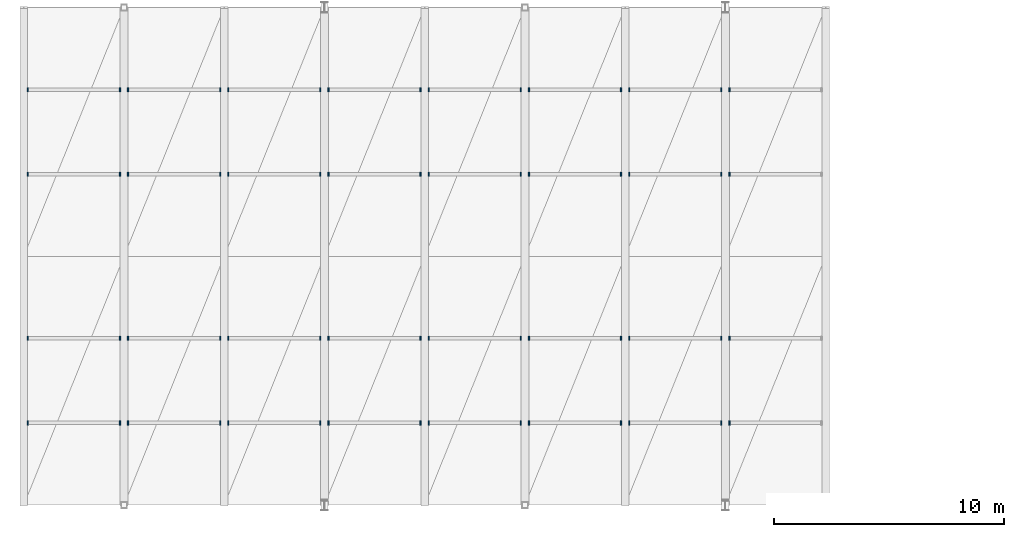
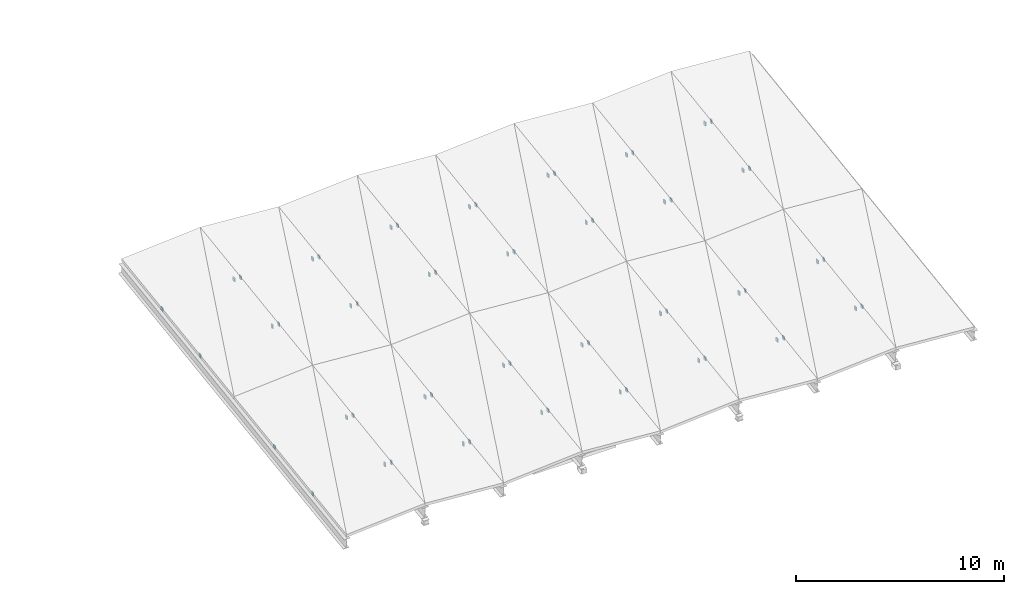
# One storey, part 29 of 52: 60 discrete accessories.
"""IFC4 building model written with IfcOpenShell, lengths in metres."""

from ifc_helpers import new_model, si_unit, direction, frame, origin, origin_2d, place, context, subcontext, project, spatial, rectangle, extrude, material, layer, layer_set, type_object, element, save


model = new_model("IFC4")

# Units and contexts
model_context = context("Model", 3, precision=1e-05, world=origin(), true_north=direction((0.0, 1.0)))
body_context = subcontext(model_context, "Body", "Model", "MODEL_VIEW")
ifc_project = project(units=[si_unit("LENGTHUNIT", "METRE"), si_unit("AREAUNIT", "SQUARE_METRE"), si_unit("VOLUMEUNIT", "CUBIC_METRE"), si_unit("PLANEANGLEUNIT", "RADIAN"), si_unit("MASSUNIT", "GRAM", prefix="KILO")], contexts=[model_context])

# Site, building, storey
site_placement = place(None, origin())
site = spatial("IfcSite", under=ifc_project, at=site_placement, CompositionType="ELEMENT")
building_placement = place(site_placement, origin())
building = spatial("IfcBuilding", under=site, at=building_placement, Name="Vaelkrest Opera House", CompositionType="ELEMENT")
storey_placement = place(building_placement, frame((0.0, 0.0, 41.39990234375)))
storey = spatial("IfcBuildingStorey", under=building, at=storey_placement, Name="ROOF", CompositionType="ELEMENT", Elevation=41.39990234375)

# Discrete accessories
ifc_material = material(Name="Steel A572 Gr50", Category="steel")
ifc_layer = layer(ifc_material, 0.320068359375)
ifc_layer_set = layer_set([ifc_layer], Name="Steel A572 Gr50")
discrete_accessory_type = type_object("IfcDiscreteAccessoryType", Name="ECP01", PredefinedType="USERDEFINED", material=ifc_layer_set)
for number, where, z_axis, x_axis, name in (
    (1, (-86.222412109375, -55.8359375, -30.92529296875), (0.0, 0.0, 1.0), (1.0, 0.0, 0.0), "Purlin HSS end cap plate V5-01-S1-33-W0"),
    (2, (-82.2275390625, -55.8359375, -30.60546875), (0.0, 0.0, 1.0), (1.0, 0.0, 0.0), "Purlin HSS end cap plate V5-01-S1-33-W1"),
    (3, (-81.87255859375, -55.8359375, -30.60546875), (0.0, 0.0, 1.0), (1.0, 0.0, 0.0), "Purlin HSS end cap plate V5-01-S1-33-E0"),
    (4, (-77.87744140625, -55.8359375, -30.92529296875), (0.0, 0.0, 1.0), (1.0, 0.0, 0.0), "Purlin HSS end cap plate V5-01-S1-33-E1"),
    (5, (-86.222412109375, -52.1640625, -30.4013671875), (0.0, 0.0, 1.0), (1.0, 0.0, 0.0), "Purlin HSS end cap plate V5-01-S1-67-W0"),
    (6, (-82.2275390625, -52.1640625, -30.08154296875), (0.0, 0.0, 1.0), (1.0, 0.0, 0.0), "Purlin HSS end cap plate V5-01-S1-67-W1"),
    (7, (-81.87255859375, -52.1640625, -30.08154296875), (0.0, 0.0, 1.0), (1.0, 0.0, 0.0), "Purlin HSS end cap plate V5-01-S1-67-E0"),
    (8, (-77.87744140625, -52.1640625, -30.4013671875), (0.0, 0.0, 1.0), (1.0, 0.0, 0.0), "Purlin HSS end cap plate V5-01-S1-67-E1"),
    (9, (-86.222412109375, -45.035888671875, -29.38525390625), (0.0, 0.0, 1.0), (1.0, 0.0, 0.0), "Purlin HSS end cap plate V5-01-S2-33-W0"),
    (10, (-82.2275390625, -45.035888671875, -29.0654296875), (0.0, 0.0, 1.0), (1.0, 0.0, 0.0), "Purlin HSS end cap plate V5-01-S2-33-W1"),
    (11, (-81.87255859375, -45.035888671875, -29.0654296875), (0.0, 0.0, 1.0), (1.0, 0.0, 0.0), "Purlin HSS end cap plate V5-01-S2-33-E0"),
    (12, (-77.87744140625, -45.035888671875, -29.38525390625), (0.0, 0.0, 1.0), (1.0, 0.0, 0.0), "Purlin HSS end cap plate V5-01-S2-33-E1"),
    (13, (-86.222412109375, -41.364013671875, -28.861328125), (0.0, 0.0, 1.0), (1.0, 0.0, 0.0), "Purlin HSS end cap plate V5-01-S2-67-W0"),
    (14, (-82.2275390625, -41.364013671875, -28.54150390625), (0.0, 0.0, 1.0), (1.0, 0.0, 0.0), "Purlin HSS end cap plate V5-01-S2-67-W1"),
    (15, (-81.87255859375, -41.364013671875, -28.54150390625), (0.0, 0.0, 1.0), (1.0, 0.0, 0.0), "Purlin HSS end cap plate V5-01-S2-67-E0"),
    (16, (-77.87744140625, -41.364013671875, -28.861328125), (0.0, 0.0, 1.0), (1.0, 0.0, 0.0), "Purlin HSS end cap plate V5-01-S2-67-E1"),
    (17, (-77.5224609375, -55.8359375, -30.92529296875), (0.0, 0.0, 1.0), (1.0, 0.0, 0.0), "Purlin HSS end cap plate V5-02-S1-33-W0"),
    (18, (-73.527587890625, -55.8359375, -30.60546875), (0.0, 0.0, 1.0), (1.0, 0.0, 0.0), "Purlin HSS end cap plate V5-02-S1-33-W1"),
    (19, (-73.172607421875, -55.8359375, -30.60546875), (0.0, 0.0, 1.0), (1.0, 0.0, 0.0), "Purlin HSS end cap plate V5-02-S1-33-E0"),
    (20, (-69.177490234375, -55.8359375, -30.92529296875), (0.0, 0.0, 1.0), (1.0, 0.0, 0.0), "Purlin HSS end cap plate V5-02-S1-33-E1"),
    (21, (-77.5224609375, -52.1640625, -30.4013671875), (0.0, 0.0, 1.0), (1.0, 0.0, 0.0), "Purlin HSS end cap plate V5-02-S1-67-W0"),
    (22, (-73.527587890625, -52.1640625, -30.08154296875), (0.0, 0.0, 1.0), (1.0, 0.0, 0.0), "Purlin HSS end cap plate V5-02-S1-67-W1"),
    (23, (-73.172607421875, -52.1640625, -30.08154296875), (0.0, 0.0, 1.0), (1.0, 0.0, 0.0), "Purlin HSS end cap plate V5-02-S1-67-E0"),
    (24, (-69.177490234375, -52.1640625, -30.4013671875), (0.0, 0.0, 1.0), (1.0, 0.0, 0.0), "Purlin HSS end cap plate V5-02-S1-67-E1"),
    (25, (-77.5224609375, -45.035888671875, -29.38525390625), (0.0, 0.0, 1.0), (1.0, 0.0, 0.0), "Purlin HSS end cap plate V5-02-S2-33-W0"),
    (26, (-73.527587890625, -45.035888671875, -29.0654296875), (0.0, 0.0, 1.0), (1.0, 0.0, 0.0), "Purlin HSS end cap plate V5-02-S2-33-W1"),
    (27, (-73.172607421875, -45.035888671875, -29.0654296875), (0.0, 0.0, 1.0), (1.0, 0.0, 0.0), "Purlin HSS end cap plate V5-02-S2-33-E0"),
    (28, (-69.177490234375, -45.035888671875, -29.38525390625), (0.0, 0.0, 1.0), (1.0, 0.0, 0.0), "Purlin HSS end cap plate V5-02-S2-33-E1"),
    (29, (-77.5224609375, -41.364013671875, -28.861328125), (0.0, 0.0, 1.0), (1.0, 0.0, 0.0), "Purlin HSS end cap plate V5-02-S2-67-W0"),
    (30, (-73.527587890625, -41.364013671875, -28.54150390625), (0.0, 0.0, 1.0), (1.0, 0.0, 0.0), "Purlin HSS end cap plate V5-02-S2-67-W1"),
    (31, (-73.172607421875, -41.364013671875, -28.54150390625), (0.0, 0.0, 1.0), (1.0, 0.0, 0.0), "Purlin HSS end cap plate V5-02-S2-67-E0"),
    (32, (-69.177490234375, -41.364013671875, -28.861328125), (0.0, 0.0, 1.0), (1.0, 0.0, 0.0), "Purlin HSS end cap plate V5-02-S2-67-E1"),
    (33, (-68.822509765625, -55.8359375, -30.92529296875), (0.0, 0.0, 1.0), (1.0, 0.0, 0.0), "Purlin HSS end cap plate V5-03-S1-33-W0"),
    (34, (-64.827392578125, -55.8359375, -30.60546875), (0.0, 0.0, 1.0), (1.0, 0.0, 0.0), "Purlin HSS end cap plate V5-03-S1-33-W1"),
    (35, (-64.472412109375, -55.8359375, -30.60546875), (0.0, 0.0, 1.0), (1.0, 0.0, 0.0), "Purlin HSS end cap plate V5-03-S1-33-E0"),
    (36, (-60.4775390625, -55.8359375, -30.92529296875), (0.0, 0.0, 1.0), (1.0, 0.0, 0.0), "Purlin HSS end cap plate V5-03-S1-33-E1"),
    (37, (-68.822509765625, -52.1640625, -30.4013671875), (0.0, 0.0, 1.0), (1.0, 0.0, 0.0), "Purlin HSS end cap plate V5-03-S1-67-W0"),
    (38, (-64.827392578125, -52.1640625, -30.08154296875), (0.0, 0.0, 1.0), (1.0, 0.0, 0.0), "Purlin HSS end cap plate V5-03-S1-67-W1"),
    (39, (-64.472412109375, -52.1640625, -30.08154296875), (0.0, 0.0, 1.0), (1.0, 0.0, 0.0), "Purlin HSS end cap plate V5-03-S1-67-E0"),
    (40, (-60.4775390625, -52.1640625, -30.4013671875), (0.0, 0.0, 1.0), (1.0, 0.0, 0.0), "Purlin HSS end cap plate V5-03-S1-67-E1"),
    (41, (-68.822509765625, -45.035888671875, -29.38525390625), (0.0, 0.0, 1.0), (1.0, 0.0, 0.0), "Purlin HSS end cap plate V5-03-S2-33-W0"),
    (42, (-64.827392578125, -45.035888671875, -29.0654296875), (0.0, 0.0, 1.0), (1.0, 0.0, 0.0), "Purlin HSS end cap plate V5-03-S2-33-W1"),
    (43, (-64.472412109375, -45.035888671875, -29.0654296875), (0.0, 0.0, 1.0), (1.0, 0.0, 0.0), "Purlin HSS end cap plate V5-03-S2-33-E0"),
    (44, (-60.4775390625, -45.035888671875, -29.38525390625), (0.0, 0.0, 1.0), (1.0, 0.0, 0.0), "Purlin HSS end cap plate V5-03-S2-33-E1"),
    (45, (-68.822509765625, -41.364013671875, -28.861328125), (0.0, 0.0, 1.0), (1.0, 0.0, 0.0), "Purlin HSS end cap plate V5-03-S2-67-W0"),
    (46, (-64.827392578125, -41.364013671875, -28.54150390625), (0.0, 0.0, 1.0), (1.0, 0.0, 0.0), "Purlin HSS end cap plate V5-03-S2-67-W1"),
    (47, (-64.472412109375, -41.364013671875, -28.54150390625), (0.0, 0.0, 1.0), (1.0, 0.0, 0.0), "Purlin HSS end cap plate V5-03-S2-67-E0"),
    (48, (-60.4775390625, -41.364013671875, -28.861328125), (0.0, 0.0, 1.0), (1.0, 0.0, 0.0), "Purlin HSS end cap plate V5-03-S2-67-E1"),
    (49, (-60.12255859375, -55.8359375, -30.92529296875), (0.0, 0.0, 1.0), (1.0, 0.0, 0.0), "Purlin HSS end cap plate V5-04-S1-33-W0"),
    (50, (-56.12744140625, -55.8359375, -30.60546875), (0.0, 0.0, 1.0), (1.0, 0.0, 0.0), "Purlin HSS end cap plate V5-04-S1-33-W1"),
    (51, (-55.7724609375, -55.8359375, -30.60546875), (0.0, 0.0, 1.0), (1.0, 0.0, 0.0), "Purlin HSS end cap plate V5-04-S1-33-E0"),
    (52, (-60.12255859375, -52.1640625, -30.4013671875), (0.0, 0.0, 1.0), (1.0, 0.0, 0.0), "Purlin HSS end cap plate V5-04-S1-67-W0"),
    (53, (-56.12744140625, -52.1640625, -30.08154296875), (0.0, 0.0, 1.0), (1.0, 0.0, 0.0), "Purlin HSS end cap plate V5-04-S1-67-W1"),
    (54, (-55.7724609375, -52.1640625, -30.08154296875), (0.0, 0.0, 1.0), (1.0, 0.0, 0.0), "Purlin HSS end cap plate V5-04-S1-67-E0"),
    (55, (-60.12255859375, -45.035888671875, -29.38525390625), (0.0, 0.0, 1.0), (1.0, 0.0, 0.0), "Purlin HSS end cap plate V5-04-S2-33-W0"),
    (56, (-56.12744140625, -45.035888671875, -29.0654296875), (0.0, 0.0, 1.0), (1.0, 0.0, 0.0), "Purlin HSS end cap plate V5-04-S2-33-W1"),
    (57, (-55.7724609375, -45.035888671875, -29.0654296875), (0.0, 0.0, 1.0), (1.0, 0.0, 0.0), "Purlin HSS end cap plate V5-04-S2-33-E0"),
    (58, (-60.12255859375, -41.364013671875, -28.861328125), (0.0, 0.0, 1.0), (1.0, 0.0, 0.0), "Purlin HSS end cap plate V5-04-S2-67-W0"),
    (59, (-56.12744140625, -41.364013671875, -28.54150390625), (0.0, 0.0, 1.0), (1.0, 0.0, 0.0), "Purlin HSS end cap plate V5-04-S2-67-W1"),
    (60, (-55.7724609375, -41.364013671875, -28.54150390625), (0.0, 0.0, 1.0), (1.0, 0.0, 0.0), "Purlin HSS end cap plate V5-04-S2-67-E0"),
):
    element("IfcDiscreteAccessory", number, at=place(storey_placement, frame(where, z_axis=z_axis, x_axis=x_axis)), inside=storey, type_object=discrete_accessory_type, Name=name, ObjectType="CAP PLATE", PredefinedType="USERDEFINED", context=body_context, shape_type="SweptSolid", body=[
        extrude(rectangle(XDim=0.054931640625, YDim=0.176025390625, at=origin_2d()), origin(), (0.0, 0.0, 1.0), 0.218994140625),
    ])

save(model, "model.ifc")
